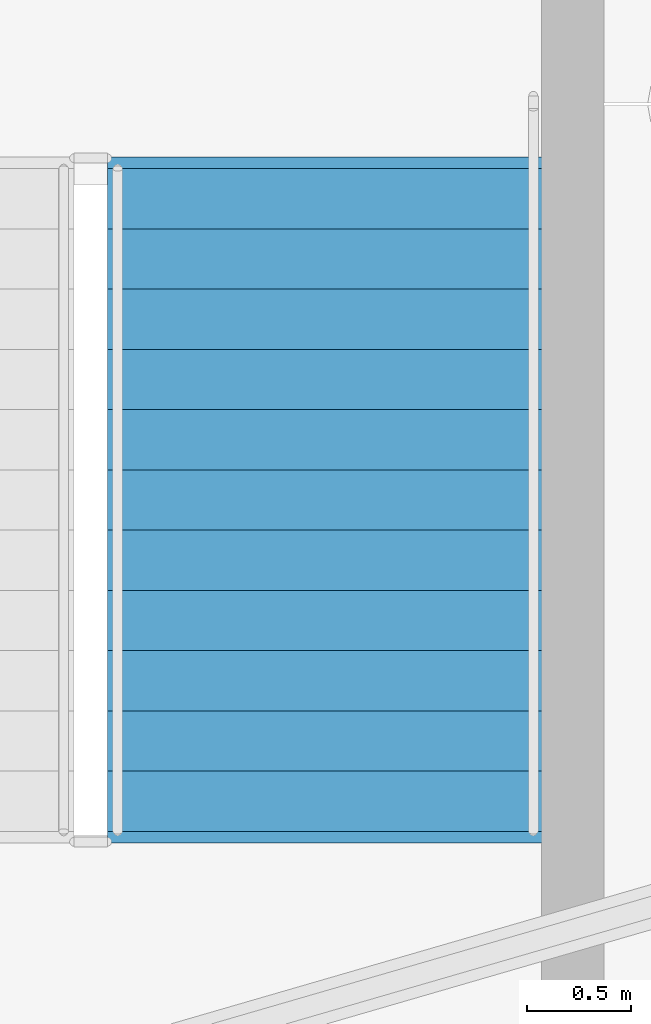
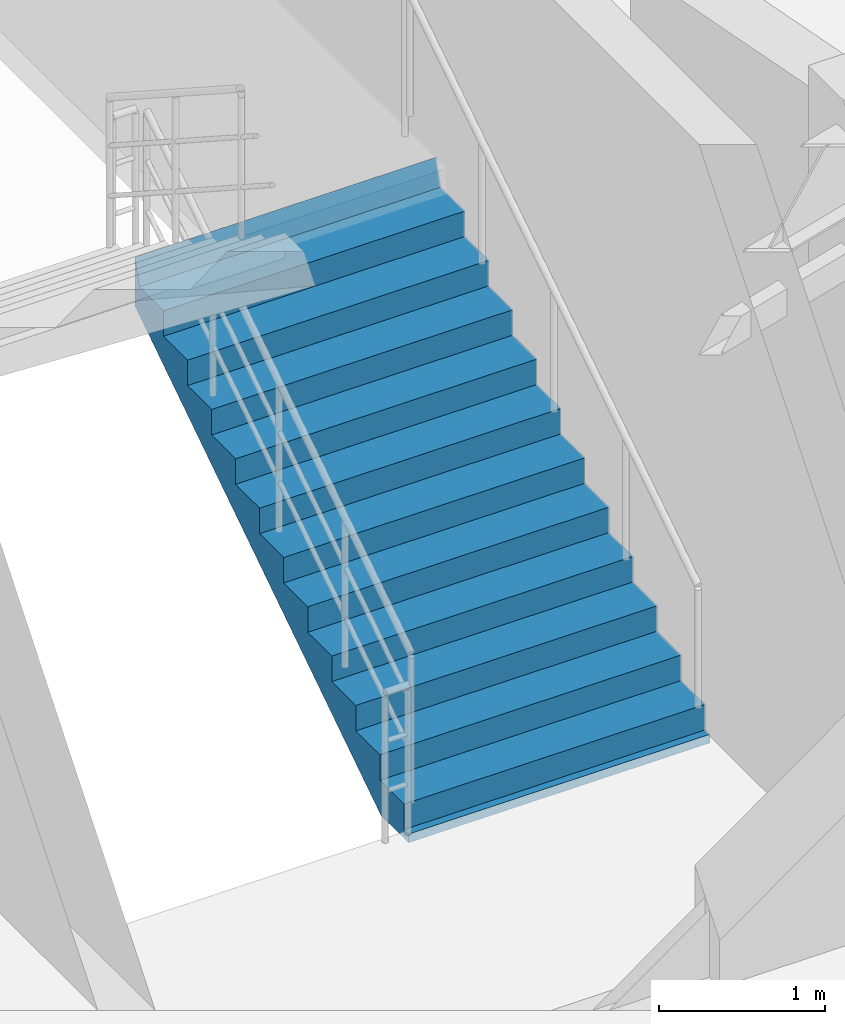
# One storey, part 30 of 45: 1 stair flight, 1 element without a shape of its own.
"""IFC4 building model written with IfcOpenShell, lengths in metres."""

from ifc_helpers import new_model, si_unit, direction, frame, origin, place, context, subcontext, project, spatial, polyline, outline, extrude, material, type_object, element, aggregate, save


model = new_model("IFC4")

# Units and contexts
model_context = context("Model", 3, precision=1e-05, world=origin(), true_north=direction((0.0, 1.0)))
body_context = subcontext(model_context, "Body", "Model", "MODEL_VIEW")
ifc_project = project(units=[si_unit("LENGTHUNIT", "METRE"), si_unit("AREAUNIT", "SQUARE_METRE"), si_unit("VOLUMEUNIT", "CUBIC_METRE"), si_unit("PLANEANGLEUNIT", "RADIAN"), si_unit("MASSUNIT", "GRAM", prefix="KILO")], contexts=[model_context])

# Site, building, storey
site_placement = place(None, origin())
site = spatial("IfcSite", under=ifc_project, at=site_placement, CompositionType="ELEMENT")
building_placement = place(site_placement, origin())
building = spatial("IfcBuilding", under=site, at=building_placement, Name="Cinderbank Siding Concert Hall", CompositionType="ELEMENT")
storey_placement = place(building_placement, frame((0.0, 0.0, 19.199951171875)))
storey = spatial("IfcBuildingStorey", under=building, at=storey_placement, Name="L05", CompositionType="ELEMENT", Elevation=19.199951171875)

# Stair, stair flight
ifc_material = material(Name="Reinforced concrete AS 3600 N50 (50 MPa)", Category="concrete")
stair_type = type_object("IfcStairType", Name="STR-D Dogleg Exit Stair 2100mm", PredefinedType="HALF_TURN_STAIR", material=ifc_material)
stair_placement = place(storey_placement, origin())
stair = element("IfcStair", 1, at=stair_placement, inside=storey, type_object=stair_type, Name="L05 West Drum Exit Stair ST-04", PredefinedType="HALF_TURN_STAIR")
stair_flight_type = type_object("IfcStairFlightType", Name="SFL-D Concrete Stair Flight 2100mm", PredefinedType="STRAIGHT", material=ifc_material)
stair_flight_placement = place(storey_placement, frame((100.85009765625, 40.5, 0.0), z_axis=(0.0, 0.0, 1.0), x_axis=(0.0, 1.0, 0.0)))
stair_flight = element("IfcStairFlight", 2, at=stair_flight_placement, type_object=stair_flight_type, Name="ST-04 flight 1", NumberOfRisers=12, NumberOfTreads=11, PredefinedType="STRAIGHT", RiserHeight=0.1875, TreadLength=0.29, context=body_context, shape_type="SweptSolid", body=[
    extrude(outline(polyline([(0.0, 0.0), (0.0, 0.1875), (0.2900390625, 0.1875), (0.2900390625, 0.375), (0.580078125, 0.375), (0.580078125, 0.5625), (0.8701171875, 0.5625), (0.8701171875, 0.75), (1.159912109375, 0.75), (1.159912109375, 0.9375), (1.449951171875, 0.9375), (1.449951171875, 1.125), (1.739990234375, 1.125), (1.739990234375, 1.3125), (2.030029296875, 1.3125), (2.030029296875, 1.5), (2.320068359375, 1.5), (2.320068359375, 1.6875), (2.610107421875, 1.6875), (2.610107421875, 1.875), (2.89990234375, 1.875), (2.89990234375, 2.0625), (3.18994140625, 2.0625), (3.244873046875, 2.25), (3.244873046875, 1.884033203125), (3.24462890625, 1.88427734375), (3.24462890625, 1.884521484375), (3.24462890625, 1.884765625), (3.24462890625, 1.885009765625), (3.24462890625, 1.88525390625), (3.24462890625, 1.885498046875), (3.24462890625, 1.8857421875), (3.24462890625, 1.885986328125), (3.24462890625, 1.88623046875), (3.24462890625, 1.886474609375), (3.24462890625, 1.88671875), (3.24462890625, 1.886962890625), (3.244384765625, 1.886962890625), (3.244384765625, 1.88671875), (3.244384765625, 1.886474609375), (3.244384765625, 1.88623046875), (3.244384765625, 1.885986328125), (3.244384765625, 1.8857421875), (3.244384765625, 1.885498046875), (3.244384765625, 1.88525390625), (3.244384765625, 1.885009765625), (3.244384765625, 1.884765625), (3.244384765625, 1.884521484375), (3.244384765625, 1.88427734375), (3.244384765625, 1.884033203125), (3.244140625, 1.88427734375), (3.244140625, 1.884521484375), (3.244140625, 1.884765625), (3.244140625, 1.885009765625), (3.244140625, 1.88525390625), (3.244140625, 1.885498046875), (3.244140625, 1.8857421875), (3.244140625, 1.885986328125), (3.244140625, 1.88623046875), (3.244140625, 1.886474609375), (3.244140625, 1.88671875), (3.244140625, 1.886962890625), (3.243896484375, 1.886962890625), (3.243896484375, 1.88671875), (3.243896484375, 1.886474609375), (3.243896484375, 1.88623046875), (3.243896484375, 1.885986328125), (3.243896484375, 1.8857421875), (3.243896484375, 1.885498046875), (3.243896484375, 1.88525390625), (3.243896484375, 1.885009765625), (3.243896484375, 1.884765625), (3.243896484375, 1.884521484375), (3.243896484375, 1.88427734375), (3.243896484375, 1.884033203125), (3.24365234375, 1.88427734375), (3.24365234375, 1.884521484375), (3.24365234375, 1.884765625), (3.24365234375, 1.885009765625), (3.24365234375, 1.88525390625), (3.24365234375, 1.885498046875), (3.24365234375, 1.8857421875), (3.24365234375, 1.885986328125), (3.24365234375, 1.88623046875), (3.24365234375, 1.886474609375), (3.24365234375, 1.88671875), (3.24365234375, 1.886962890625), (3.243408203125, 1.886962890625), (3.243408203125, 1.88671875), (3.243408203125, 1.886474609375), (3.243408203125, 1.88623046875), (3.243408203125, 1.885986328125), (3.243408203125, 1.8857421875), (3.243408203125, 1.885498046875), (3.243408203125, 1.88525390625), (3.243408203125, 1.885009765625), (3.243408203125, 1.884765625), (3.243408203125, 1.884521484375), (3.243408203125, 1.88427734375), (3.243408203125, 1.884033203125), (3.2431640625, 1.88427734375), (3.2431640625, 1.884521484375), (3.2431640625, 1.884765625), (3.2431640625, 1.885009765625), (3.2431640625, 1.88525390625), (3.2431640625, 1.885498046875), (3.2431640625, 1.8857421875), (3.2431640625, 1.885986328125), (3.2431640625, 1.88623046875), (3.2431640625, 1.886474609375), (3.2431640625, 1.88671875), (3.2431640625, 1.886962890625), (3.242919921875, 1.886962890625), (3.242919921875, 1.88671875), (3.242919921875, 1.886474609375), (3.242919921875, 1.88623046875), (3.242919921875, 1.885986328125), (3.242919921875, 1.8857421875), (3.242919921875, 1.885498046875), (3.242919921875, 1.88525390625), (3.242919921875, 1.885009765625), (3.242919921875, 1.884765625), (3.242919921875, 1.884521484375), (3.242919921875, 1.88427734375), (3.242919921875, 1.884033203125), (3.24267578125, 1.88427734375), (3.24267578125, 1.884521484375), (3.24267578125, 1.884765625), (3.24267578125, 1.885009765625), (3.24267578125, 1.88525390625), (3.24267578125, 1.885498046875), (3.24267578125, 1.8857421875), (3.24267578125, 1.885986328125), (3.24267578125, 1.88623046875), (3.24267578125, 1.886474609375), (3.24267578125, 1.88671875), (3.24267578125, 1.886962890625), (3.242431640625, 1.886962890625), (3.242431640625, 1.88671875), (3.242431640625, 1.886474609375), (3.242431640625, 1.88623046875), (3.242431640625, 1.885986328125), (3.242431640625, 1.8857421875), (3.242431640625, 1.885498046875), (3.242431640625, 1.88525390625), (3.242431640625, 1.885009765625), (3.242431640625, 1.884765625), (3.242431640625, 1.884521484375), (3.242431640625, 1.88427734375), (3.242431640625, 1.884033203125), (3.2421875, 1.88427734375), (3.2421875, 1.884521484375), (3.2421875, 1.884765625), (3.2421875, 1.885009765625), (3.2421875, 1.88525390625), (3.2421875, 1.885498046875), (3.2421875, 1.8857421875), (3.2421875, 1.885986328125), (3.2421875, 1.88623046875), (3.2421875, 1.886474609375), (3.2421875, 1.88671875), (3.2421875, 1.886962890625), (3.241943359375, 1.886962890625), (3.241943359375, 1.88671875), (3.241943359375, 1.886474609375), (3.241943359375, 1.88623046875), (3.241943359375, 1.885986328125), (3.241943359375, 1.8857421875), (3.241943359375, 1.885498046875), (3.241943359375, 1.88525390625), (3.241943359375, 1.885009765625), (3.241943359375, 1.884765625), (3.241943359375, 1.884521484375), (3.241943359375, 1.88427734375), (3.241943359375, 1.884033203125), (3.24169921875, 1.88427734375), (3.24169921875, 1.884521484375), (3.24169921875, 1.884765625), (3.24169921875, 1.885009765625), (3.24169921875, 1.88525390625), (3.24169921875, 1.885498046875), (3.24169921875, 1.8857421875), (3.24169921875, 1.885986328125), (3.24169921875, 1.88623046875), (3.24169921875, 1.886474609375), (3.24169921875, 1.88671875), (3.24169921875, 1.886962890625), (3.241455078125, 1.886962890625), (3.241455078125, 1.88671875), (3.241455078125, 1.886474609375), (3.241455078125, 1.88623046875), (3.241455078125, 1.885986328125), (3.241455078125, 1.8857421875), (3.241455078125, 1.885498046875), (3.241455078125, 1.88525390625), (3.241455078125, 1.885009765625), (3.241455078125, 1.884765625), (3.241455078125, 1.884521484375), (3.241455078125, 1.88427734375), (3.241455078125, 1.884033203125), (3.2412109375, 1.88427734375), (3.2412109375, 1.884521484375), (3.2412109375, 1.884765625), (3.2412109375, 1.885009765625), (3.2412109375, 1.88525390625), (3.2412109375, 1.885498046875), (3.2412109375, 1.8857421875), (3.2412109375, 1.885986328125), (3.2412109375, 1.88623046875), (3.2412109375, 1.886474609375), (3.2412109375, 1.88671875), (3.2412109375, 1.886962890625), (3.240966796875, 1.886962890625), (3.240966796875, 1.88671875), (3.240966796875, 1.886474609375), (3.240966796875, 1.88623046875), (3.240966796875, 1.885986328125), (3.240966796875, 1.8857421875), (3.240966796875, 1.885498046875), (3.240966796875, 1.88525390625), (3.240966796875, 1.885009765625), (3.240966796875, 1.884765625), (3.240966796875, 1.884521484375), (3.240966796875, 1.88427734375), (3.240966796875, 1.884033203125), (3.24072265625, 1.88427734375), (3.24072265625, 1.884521484375), (3.24072265625, 1.884765625), (3.24072265625, 1.885009765625), (3.24072265625, 1.88525390625), (3.24072265625, 1.885498046875), (3.24072265625, 1.8857421875), (3.24072265625, 1.885986328125), (3.24072265625, 1.88623046875), (3.24072265625, 1.886474609375), (3.24072265625, 1.88671875), (3.24072265625, 1.886962890625), (3.240478515625, 1.886962890625), (3.240478515625, 1.88671875), (3.240478515625, 1.886474609375), (3.240478515625, 1.88623046875), (3.240478515625, 1.885986328125), (3.240478515625, 1.8857421875), (3.240478515625, 1.885498046875), (3.240478515625, 1.88525390625), (3.240478515625, 1.885009765625), (3.240478515625, 1.884765625), (3.240478515625, 1.884521484375), (3.240478515625, 1.88427734375), (3.240478515625, 1.884033203125), (3.240234375, 1.88427734375), (3.240234375, 1.884521484375), (3.240234375, 1.884765625), (3.240234375, 1.885009765625), (3.240234375, 1.88525390625), (3.240234375, 1.885498046875), (3.240234375, 1.8857421875), (3.240234375, 1.885986328125), (3.240234375, 1.88623046875), (3.240234375, 1.886474609375), (3.240234375, 1.88671875), (3.240234375, 1.886962890625), (3.239990234375, 1.886962890625), (3.239990234375, 1.88671875), (3.239990234375, 1.886474609375), (3.239990234375, 1.88623046875), (3.239990234375, 1.885986328125), (3.239990234375, 1.8857421875), (3.239990234375, 1.885498046875), (3.239990234375, 1.88525390625), (3.239990234375, 1.885009765625), (3.239990234375, 1.884765625), (3.239990234375, 1.884521484375), (3.239990234375, 1.88427734375), (3.239990234375, 1.884033203125), (3.23974609375, 1.88427734375), (3.23974609375, 1.884521484375), (3.23974609375, 1.884765625), (3.23974609375, 1.885009765625), (3.23974609375, 1.88525390625), (3.23974609375, 1.885498046875), (3.23974609375, 1.8857421875), (3.23974609375, 1.885986328125), (3.23974609375, 1.88623046875), (3.23974609375, 1.886474609375), (3.23974609375, 1.88671875), (3.23974609375, 1.886962890625), (3.239501953125, 1.886962890625), (3.239501953125, 1.88671875), (3.239501953125, 1.886474609375), (3.239501953125, 1.88623046875), (3.239501953125, 1.885986328125), (3.239501953125, 1.8857421875), (3.239501953125, 1.885498046875), (3.239501953125, 1.88525390625), (3.239501953125, 1.885009765625), (3.239501953125, 1.884765625), (3.239501953125, 1.884521484375), (3.239501953125, 1.88427734375), (3.239501953125, 1.884033203125), (3.2392578125, 1.88427734375), (3.2392578125, 1.884521484375), (3.2392578125, 1.884765625), (3.2392578125, 1.885009765625), (3.2392578125, 1.88525390625), (3.2392578125, 1.885498046875), (3.2392578125, 1.8857421875), (3.2392578125, 1.885986328125), (3.2392578125, 1.88623046875), (3.2392578125, 1.886474609375), (3.2392578125, 1.88671875), (3.2392578125, 1.886962890625), (3.239013671875, 1.886962890625), (3.239013671875, 1.88671875), (3.239013671875, 1.886474609375), (3.239013671875, 1.88623046875), (3.239013671875, 1.885986328125), (3.239013671875, 1.8857421875), (3.239013671875, 1.885498046875), (3.239013671875, 1.88525390625), (3.239013671875, 1.885009765625), (3.239013671875, 1.884765625), (3.239013671875, 1.884521484375), (3.239013671875, 1.88427734375), (3.239013671875, 1.884033203125), (3.23876953125, 1.88427734375), (3.23876953125, 1.884521484375), (3.23876953125, 1.884765625), (3.23876953125, 1.885009765625), (3.23876953125, 1.88525390625), (3.23876953125, 1.885498046875), (3.23876953125, 1.8857421875), (3.23876953125, 1.885986328125), (3.23876953125, 1.88623046875), (3.23876953125, 1.886474609375), (3.23876953125, 1.88671875), (3.23876953125, 1.886962890625), (3.238525390625, 1.886962890625), (3.238525390625, 1.88671875), (3.238525390625, 1.886474609375), (3.238525390625, 1.88623046875), (3.238525390625, 1.885986328125), (3.238525390625, 1.8857421875), (3.238525390625, 1.885498046875), (3.238525390625, 1.88525390625), (3.238525390625, 1.885009765625), (3.238525390625, 1.884765625), (3.238525390625, 1.884521484375), (3.238525390625, 1.88427734375), (3.238525390625, 1.884033203125), (0.276123046875, -0.06396484375), (-0.048583984375, -0.063720703125), (-0.048583984375, -0.0634765625), (-0.048583984375, -0.063232421875), (-0.048583984375, -0.06298828125), (-0.048583984375, -0.062744140625), (-0.048583984375, -0.0625), (-0.048583984375, -0.062255859375), (-0.048583984375, -0.06201171875), (-0.048583984375, -0.061767578125), (-0.048583984375, -0.0615234375), (-0.048583984375, -0.061279296875), (-0.048583984375, -0.06103515625), (-0.048828125, -0.06103515625), (-0.048828125, -0.061279296875), (-0.048828125, -0.0615234375), (-0.048828125, -0.061767578125), (-0.048828125, -0.06201171875), (-0.048828125, -0.062255859375), (-0.048828125, -0.0625), (-0.048828125, -0.062744140625), (-0.048828125, -0.06298828125), (-0.048828125, -0.063232421875), (-0.048828125, -0.0634765625), (-0.048828125, -0.063720703125), (-0.048828125, -0.06396484375), (-0.049072265625, -0.063720703125), (-0.049072265625, -0.0634765625), (-0.049072265625, -0.063232421875), (-0.049072265625, -0.06298828125), (-0.049072265625, -0.062744140625), (-0.049072265625, -0.0625), (-0.049072265625, -0.062255859375), (-0.049072265625, -0.06201171875), (-0.049072265625, -0.061767578125), (-0.049072265625, -0.0615234375), (-0.049072265625, -0.061279296875), (-0.049072265625, -0.06103515625), (-0.04931640625, -0.06103515625), (-0.04931640625, -0.061279296875), (-0.04931640625, -0.0615234375), (-0.04931640625, -0.061767578125), (-0.04931640625, -0.06201171875), (-0.04931640625, -0.062255859375), (-0.04931640625, -0.0625), (-0.04931640625, -0.062744140625), (-0.04931640625, -0.06298828125), (-0.04931640625, -0.063232421875), (-0.04931640625, -0.0634765625), (-0.04931640625, -0.063720703125), (-0.04931640625, -0.06396484375), (-0.049560546875, -0.063720703125), (-0.049560546875, -0.0634765625), (-0.049560546875, -0.063232421875), (-0.049560546875, -0.06298828125), (-0.049560546875, -0.062744140625), (-0.049560546875, -0.0625), (-0.049560546875, -0.062255859375), (-0.049560546875, -0.06201171875), (-0.049560546875, -0.061767578125), (-0.049560546875, -0.0615234375), (-0.049560546875, -0.061279296875), (-0.049560546875, -0.06103515625), (-0.0498046875, -0.06103515625), (-0.0498046875, -0.061279296875), (-0.0498046875, -0.0615234375), (-0.0498046875, -0.061767578125), (-0.0498046875, -0.06201171875), (-0.0498046875, -0.062255859375), (-0.0498046875, -0.0625), (-0.0498046875, -0.062744140625), (-0.0498046875, -0.06298828125), (-0.0498046875, -0.063232421875), (-0.0498046875, -0.0634765625), (-0.0498046875, -0.063720703125), (-0.0498046875, -0.06396484375), (-0.050048828125, -0.063720703125), (-0.050048828125, -0.0634765625), (-0.050048828125, -0.063232421875), (-0.050048828125, -0.06298828125), (-0.050048828125, -0.062744140625), (-0.050048828125, -0.0625), (-0.050048828125, -0.062255859375), (-0.050048828125, -0.06201171875), (-0.050048828125, -0.061767578125), (-0.050048828125, -0.0615234375), (-0.050048828125, -0.061279296875), (-0.050048828125, -0.06103515625), (-0.05029296875, -0.06103515625), (-0.05029296875, -0.061279296875), (-0.05029296875, -0.0615234375), (-0.05029296875, -0.061767578125), (-0.05029296875, -0.06201171875), (-0.05029296875, -0.062255859375), (-0.05029296875, -0.0625), (-0.05029296875, -0.062744140625), (-0.05029296875, -0.06298828125), (-0.05029296875, -0.063232421875), (-0.05029296875, -0.0634765625), (-0.05029296875, -0.063720703125), (-0.05029296875, -0.06396484375), (-0.050537109375, -0.063720703125), (-0.050537109375, -0.0634765625), (-0.050537109375, -0.063232421875), (-0.050537109375, -0.06298828125), (-0.050537109375, -0.062744140625), (-0.050537109375, -0.0625), (-0.050537109375, -0.062255859375), (-0.050537109375, -0.06201171875), (-0.050537109375, -0.061767578125), (-0.050537109375, -0.0615234375), (-0.050537109375, -0.061279296875), (-0.050537109375, -0.06103515625), (-0.05078125, -0.06103515625), (-0.05078125, -0.061279296875), (-0.05078125, -0.0615234375), (-0.05078125, -0.061767578125), (-0.05078125, -0.06201171875), (-0.05078125, -0.062255859375), (-0.05078125, -0.0625), (-0.05078125, -0.062744140625), (-0.05078125, -0.06298828125), (-0.05078125, -0.063232421875), (-0.05078125, -0.0634765625), (-0.05078125, -0.063720703125), (-0.05078125, -0.06396484375), (-0.051025390625, -0.063720703125), (-0.051025390625, -0.0634765625), (-0.051025390625, -0.063232421875), (-0.051025390625, -0.06298828125), (-0.051025390625, -0.062744140625), (-0.051025390625, -0.0625), (-0.051025390625, -0.062255859375), (-0.051025390625, -0.06201171875), (-0.051025390625, -0.061767578125), (-0.051025390625, -0.0615234375), (-0.051025390625, -0.061279296875), (-0.051025390625, -0.06103515625), (-0.05126953125, -0.06103515625), (-0.05126953125, -0.061279296875), (-0.05126953125, -0.0615234375), (-0.05126953125, -0.061767578125), (-0.05126953125, -0.06201171875), (-0.05126953125, -0.062255859375), (-0.05126953125, -0.0625), (-0.05126953125, -0.062744140625), (-0.05126953125, -0.06298828125), (-0.05126953125, -0.063232421875), (-0.05126953125, -0.0634765625), (-0.05126953125, -0.063720703125), (-0.05126953125, -0.06396484375), (-0.051513671875, -0.063720703125), (-0.051513671875, -0.0634765625), (-0.051513671875, -0.063232421875), (-0.051513671875, -0.06298828125), (-0.051513671875, -0.062744140625), (-0.051513671875, -0.0625), (-0.051513671875, -0.062255859375), (-0.051513671875, -0.06201171875), (-0.051513671875, -0.061767578125), (-0.051513671875, -0.0615234375), (-0.051513671875, -0.061279296875), (-0.051513671875, -0.06103515625), (-0.0517578125, -0.06103515625), (-0.0517578125, -0.061279296875), (-0.0517578125, -0.0615234375), (-0.0517578125, -0.061767578125), (-0.0517578125, -0.06201171875), (-0.0517578125, -0.062255859375), (-0.0517578125, -0.0625), (-0.0517578125, -0.062744140625), (-0.0517578125, -0.06298828125), (-0.0517578125, -0.063232421875), (-0.0517578125, -0.0634765625), (-0.0517578125, -0.063720703125), (-0.0517578125, -0.06396484375), (-0.052001953125, -0.063720703125), (-0.052001953125, -0.0634765625), (-0.052001953125, -0.063232421875), (-0.052001953125, -0.06298828125), (-0.052001953125, -0.062744140625), (-0.052001953125, -0.0625), (-0.052001953125, -0.062255859375), (-0.052001953125, -0.06201171875), (-0.052001953125, -0.061767578125), (-0.052001953125, -0.0615234375), (-0.052001953125, -0.061279296875), (-0.052001953125, -0.06103515625), (-0.05224609375, -0.06103515625), (-0.05224609375, -0.061279296875), (-0.05224609375, -0.0615234375), (-0.05224609375, -0.061767578125), (-0.05224609375, -0.06201171875), (-0.05224609375, -0.062255859375), (-0.05224609375, -0.0625), (-0.05224609375, -0.062744140625), (-0.05224609375, -0.06298828125), (-0.05224609375, -0.063232421875), (-0.05224609375, -0.0634765625), (-0.05224609375, -0.063720703125), (-0.05224609375, -0.06396484375), (-0.052490234375, -0.063720703125), (-0.052490234375, -0.0634765625), (-0.052490234375, -0.063232421875), (-0.052490234375, -0.06298828125), (-0.052490234375, -0.062744140625), (-0.052490234375, -0.0625), (-0.052490234375, -0.062255859375), (-0.052490234375, -0.06201171875), (-0.052490234375, -0.061767578125), (-0.052490234375, -0.0615234375), (-0.052490234375, -0.061279296875), (-0.052490234375, -0.06103515625), (-0.052734375, -0.06103515625), (-0.052734375, -0.061279296875), (-0.052734375, -0.0615234375), (-0.052734375, -0.061767578125), (-0.052734375, -0.06201171875), (-0.052734375, -0.062255859375), (-0.052734375, -0.0625), (-0.052734375, -0.062744140625), (-0.052734375, -0.06298828125), (-0.052734375, -0.063232421875), (-0.052734375, -0.0634765625), (-0.052734375, -0.063720703125), (-0.052734375, -0.06396484375), (-0.052978515625, -0.063720703125), (-0.052978515625, -0.0634765625), (-0.052978515625, -0.063232421875), (-0.052978515625, -0.06298828125), (-0.052978515625, -0.062744140625), (-0.052978515625, -0.0625), (-0.052978515625, -0.062255859375), (-0.052978515625, -0.06201171875), (-0.052978515625, -0.061767578125), (-0.052978515625, -0.0615234375), (-0.052978515625, -0.061279296875), (-0.052978515625, -0.06103515625), (-0.05322265625, -0.06103515625), (-0.05322265625, -0.061279296875), (-0.05322265625, -0.0615234375), (-0.05322265625, -0.061767578125), (-0.05322265625, -0.06201171875), (-0.05322265625, -0.062255859375), (-0.05322265625, -0.0625), (-0.05322265625, -0.062744140625), (-0.05322265625, -0.06298828125), (-0.05322265625, -0.063232421875), (-0.05322265625, -0.0634765625), (-0.05322265625, -0.063720703125), (-0.05322265625, -0.06396484375), (-0.053466796875, -0.063720703125), (-0.053466796875, -0.0634765625), (-0.053466796875, -0.063232421875), (-0.053466796875, -0.06298828125), (-0.053466796875, -0.062744140625), (-0.053466796875, -0.0625), (-0.053466796875, -0.062255859375), (-0.053466796875, -0.06201171875), (-0.053466796875, -0.061767578125), (-0.053466796875, -0.0615234375), (-0.053466796875, -0.061279296875), (-0.053466796875, -0.06103515625), (-0.0537109375, -0.06103515625), (-0.0537109375, -0.061279296875), (-0.0537109375, -0.0615234375), (-0.0537109375, -0.061767578125), (-0.0537109375, -0.06201171875), (-0.0537109375, -0.062255859375), (-0.0537109375, -0.0625), (-0.0537109375, -0.062744140625), (-0.0537109375, -0.06298828125), (-0.0537109375, -0.063232421875), (-0.0537109375, -0.0634765625), (-0.0537109375, -0.063720703125), (-0.0537109375, -0.06396484375), (-0.053955078125, -0.063720703125), (-0.053955078125, -0.0634765625), (-0.053955078125, -0.063232421875), (-0.053955078125, -0.06298828125), (-0.053955078125, -0.062744140625), (-0.053955078125, -0.0625), (-0.053955078125, -0.062255859375), (-0.053955078125, -0.06201171875), (-0.053955078125, -0.061767578125), (-0.053955078125, -0.0615234375), (-0.053955078125, -0.061279296875), (-0.053955078125, -0.06103515625), (-0.05419921875, -0.06103515625), (-0.05419921875, -0.061279296875), (-0.05419921875, -0.0615234375), (-0.05419921875, -0.061767578125), (-0.05419921875, -0.06201171875), (-0.05419921875, -0.062255859375), (-0.05419921875, -0.0625), (-0.05419921875, -0.062744140625), (-0.05419921875, -0.06298828125), (-0.05419921875, -0.063232421875), (-0.05419921875, -0.0634765625), (-0.05419921875, -0.063720703125), (-0.05419921875, -0.06396484375), (-0.054443359375, -0.063720703125), (-0.054443359375, -0.0634765625), (-0.054443359375, -0.063232421875), (-0.054443359375, -0.06298828125), (-0.054443359375, -0.062744140625), (-0.054443359375, -0.0625), (-0.054443359375, -0.062255859375), (-0.054443359375, -0.06201171875), (-0.054443359375, -0.061767578125), (-0.054443359375, -0.0615234375), (-0.054443359375, -0.061279296875), (-0.054443359375, -0.06103515625), (-0.0546875, -0.06103515625), (-0.0546875, -0.061279296875), (-0.0546875, -0.0615234375), (-0.0546875, -0.061767578125), (-0.0546875, -0.06201171875), (-0.0546875, -0.062255859375), (-0.0546875, -0.0625), (-0.0546875, -0.062744140625), (-0.0546875, -0.06298828125), (-0.0546875, -0.063232421875), (-0.0546875, -0.0634765625), (-0.0546875, -0.063720703125), (-0.0546875, -0.06396484375), (-0.054931640625, -0.06396484375), (-0.054931640625, 0.0), (0.0, 0.0)])), frame((0.0, 1.050048828125, 0.0), z_axis=(0.0, -1.0, 0.0), x_axis=(1.0, 0.0, 0.0)), (0.0, 0.0, 1.0), 2.10009765625),
])
aggregate(stair, [stair_flight])

save(model, "model.ifc")
